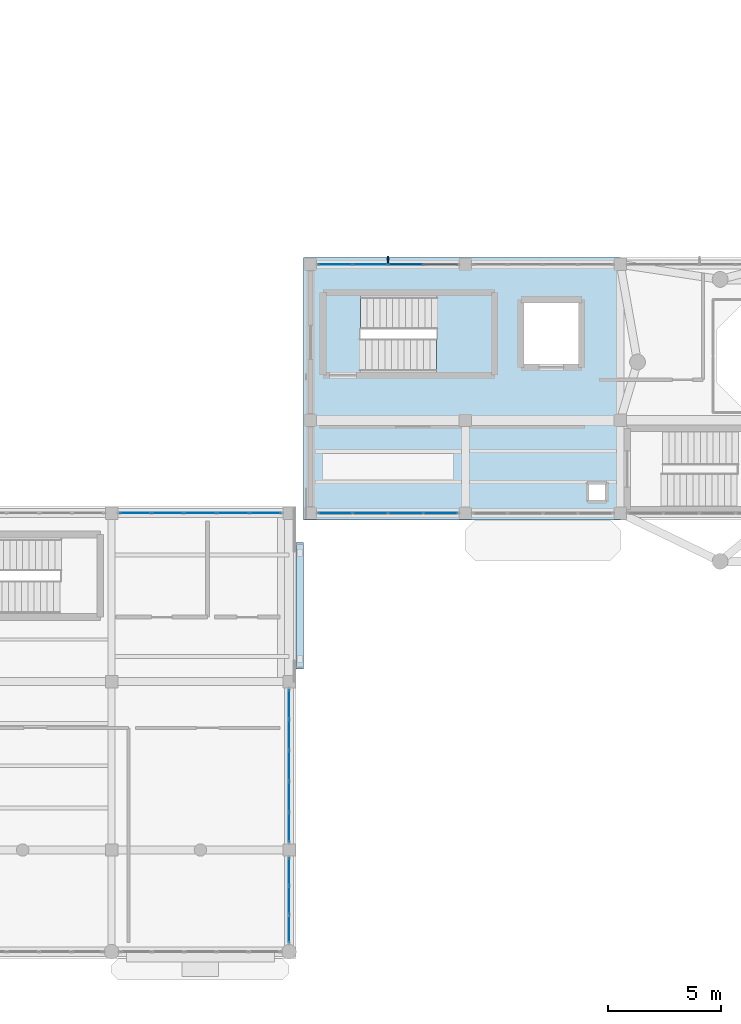
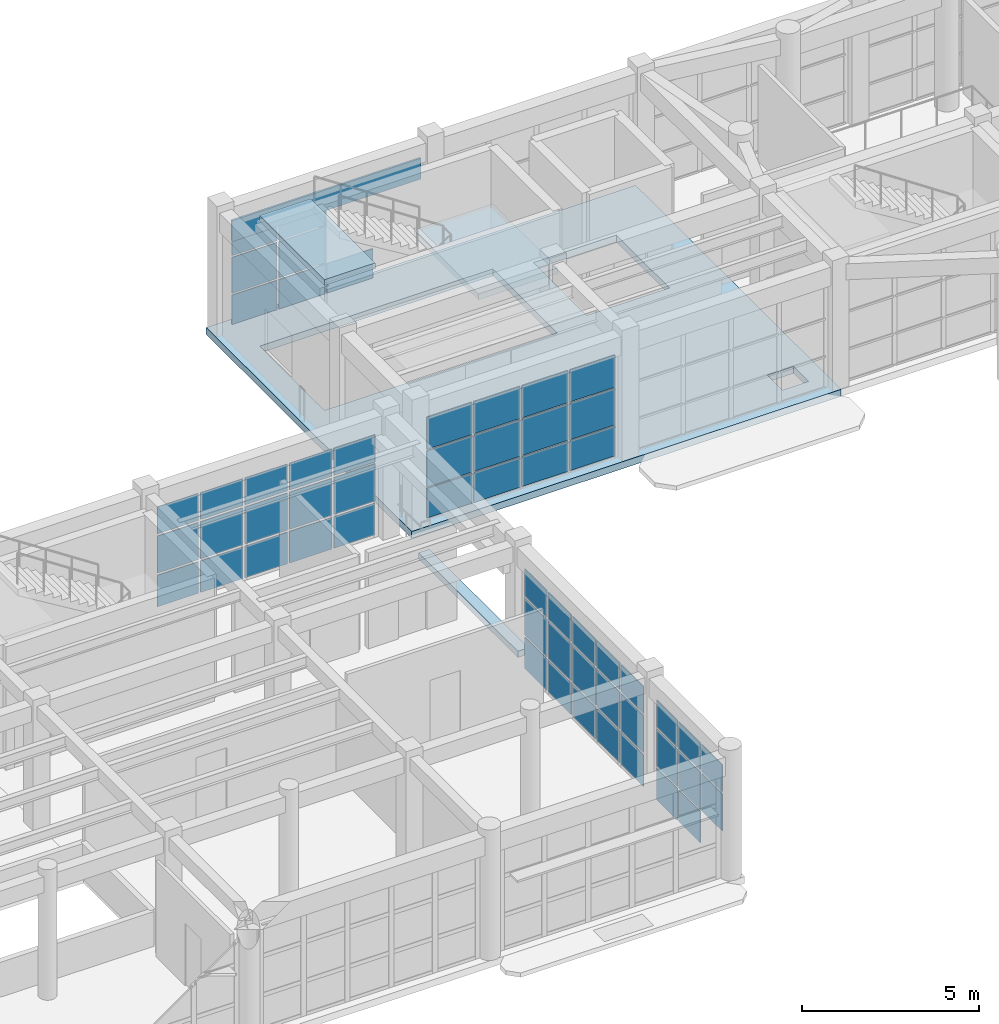
# One storey, part 52 of 85: 59 plates, 4 slabs, 6 elements without a shape of their own.
"""IFC4 building model written with IfcOpenShell, lengths in metres."""

from ifc_helpers import new_model, si_unit, direction, frame, origin, origin_2d, place, context, subcontext, project, spatial, polyline, rectangle, outline, extrude, material, layer, layer_set, type_object, element, aggregate, save


model = new_model("IFC4")

# Units and contexts
model_context = context("Model", 3, precision=1e-05, world=origin(), true_north=direction((0.0, 1.0)))
body_context = subcontext(model_context, "Body", "Model", "MODEL_VIEW")
ifc_project = project(units=[si_unit("LENGTHUNIT", "METRE"), si_unit("AREAUNIT", "SQUARE_METRE"), si_unit("VOLUMEUNIT", "CUBIC_METRE"), si_unit("PLANEANGLEUNIT", "RADIAN"), si_unit("MASSUNIT", "GRAM", prefix="KILO")], contexts=[model_context])

# Site, building, storey
site_placement = place(None, origin())
site = spatial("IfcSite", under=ifc_project, at=site_placement, CompositionType="ELEMENT")
building_placement = place(site_placement, origin())
building = spatial("IfcBuilding", under=site, at=building_placement, Name="Candilejo Ridge Gondola Terminal", CompositionType="ELEMENT")
storey_placement = place(building_placement, frame((0.0, 0.0, 4.5)))
storey = spatial("IfcBuildingStorey", under=building, at=storey_placement, Name="L01", CompositionType="ELEMENT", Elevation=4.5)

# Curtain wall, plates
ifc_material_1 = material(Name="Anodised aluminium AA 6063-T6", Category="aluminium")
ifc_layer_1 = layer(ifc_material_1, 0.169921875)
ifc_layer_set_1 = layer_set([ifc_layer_1], Name="ARC-CW-CONCOURSE-3600-725X359")
curtain_wall_type_1 = type_object("IfcCurtainWallType", Name="ARC-CW-CONCOURSE-3600-725X359", PredefinedType="NOTDEFINED", material=ifc_layer_set_1)
curtain_wall_1_placement = place(storey_placement, origin())
curtain_wall_1 = element("IfcCurtainWall", 1, at=curtain_wall_1_placement, inside=storey, type_object=curtain_wall_type_1, Name="Curtain wall V1 L01-018", PredefinedType="NOTDEFINED")
ifc_material_2 = material(Name="Low-E laminated double glazing 6+12A+6+1.52PVB+6 mm", Category="glass")
ifc_layer_2 = layer(ifc_material_2, 0.028076171875)
ifc_layer_set_2 = layer_set([ifc_layer_2], Name="ARC-CW-GLAZ-PANEL")
plate_type_1 = type_object("IfcPlateType", Name="ARC-CW-GLAZ-PANEL", PredefinedType="CURTAIN_PANEL", material=ifc_layer_set_2)
plate_1_placement = place(storey_placement, frame((36.893798828125, 25.699951171875, 0.074951171875), z_axis=(0.0, 0.0, 1.0), x_axis=(1.0, 0.0, 0.0)))
plate_1 = element("IfcPlate", 2, at=plate_1_placement, type_object=plate_type_1, Name="CW-72X35 panel 1.1", PredefinedType="CURTAIN_PANEL", context=body_context, shape_type="SweptSolid", body=[
    extrude(rectangle(XDim=1.33740234375, YDim=0.028076171875, at=origin_2d()), origin(), (0.0, 0.0, 1.0), 1.08740234375),
])
plate_2_placement = place(storey_placement, frame((36.893798828125, 25.699951171875, 1.237548828125), z_axis=(0.0, 0.0, 1.0), x_axis=(1.0, 0.0, 0.0)))
plate_2 = element("IfcPlate", 3, at=plate_2_placement, type_object=plate_type_1, Name="CW-72X35 panel 1.2", PredefinedType="CURTAIN_PANEL", context=body_context, shape_type="SweptSolid", body=[
    extrude(rectangle(XDim=1.33740234375, YDim=0.028076171875, at=origin_2d()), origin(), (0.0, 0.0, 1.0), 1.27490234375),
])
plate_3_placement = place(storey_placement, frame((36.893798828125, 25.699951171875, 2.58740234375), z_axis=(0.0, 0.0, 1.0), x_axis=(1.0, 0.0, 0.0)))
plate_3 = element("IfcPlate", 4, at=plate_3_placement, type_object=plate_type_1, Name="CW-72X35 panel 1.3", PredefinedType="CURTAIN_PANEL", context=body_context, shape_type="SweptSolid", body=[
    extrude(rectangle(XDim=1.33740234375, YDim=0.028076171875, at=origin_2d()), origin(), (0.0, 0.0, 1.0), 0.927490234375),
])
plate_4_placement = place(storey_placement, frame((38.324951171875, 25.699951171875, 0.074951171875), z_axis=(0.0, 0.0, 1.0), x_axis=(1.0, 0.0, 0.0)))
plate_4 = element("IfcPlate", 5, at=plate_4_placement, type_object=plate_type_1, Name="CW-72X35 panel 2.1", PredefinedType="CURTAIN_PANEL", context=body_context, shape_type="SweptSolid", body=[
    extrude(rectangle(XDim=1.375, YDim=0.028076171875, at=origin_2d()), origin(), (0.0, 0.0, 1.0), 1.08740234375),
])
plate_5_placement = place(storey_placement, frame((38.324951171875, 25.699951171875, 1.237548828125), z_axis=(0.0, 0.0, 1.0), x_axis=(1.0, 0.0, 0.0)))
plate_5 = element("IfcPlate", 6, at=plate_5_placement, type_object=plate_type_1, Name="CW-72X35 panel 2.2", PredefinedType="CURTAIN_PANEL", context=body_context, shape_type="SweptSolid", body=[
    extrude(rectangle(XDim=1.375, YDim=0.028076171875, at=origin_2d()), origin(), (0.0, 0.0, 1.0), 1.27490234375),
])
plate_6_placement = place(storey_placement, frame((38.324951171875, 25.699951171875, 2.58740234375), z_axis=(0.0, 0.0, 1.0), x_axis=(1.0, 0.0, 0.0)))
plate_6 = element("IfcPlate", 7, at=plate_6_placement, type_object=plate_type_1, Name="CW-72X35 panel 2.3", PredefinedType="CURTAIN_PANEL", context=body_context, shape_type="SweptSolid", body=[
    extrude(rectangle(XDim=1.375, YDim=0.028076171875, at=origin_2d()), origin(), (0.0, 0.0, 1.0), 0.927490234375),
])
plate_7_placement = place(storey_placement, frame((39.77490234375, 25.699951171875, 0.074951171875), z_axis=(0.0, 0.0, 1.0), x_axis=(1.0, 0.0, 0.0)))
plate_7 = element("IfcPlate", 8, at=plate_7_placement, type_object=plate_type_1, Name="CW-72X35 panel 3.1", PredefinedType="CURTAIN_PANEL", context=body_context, shape_type="SweptSolid", body=[
    extrude(rectangle(XDim=1.375, YDim=0.028076171875, at=origin_2d()), origin(), (0.0, 0.0, 1.0), 1.08740234375),
])
plate_8_placement = place(storey_placement, frame((39.77490234375, 25.699951171875, 1.237548828125), z_axis=(0.0, 0.0, 1.0), x_axis=(1.0, 0.0, 0.0)))
plate_8 = element("IfcPlate", 9, at=plate_8_placement, type_object=plate_type_1, Name="CW-72X35 panel 3.2", PredefinedType="CURTAIN_PANEL", context=body_context, shape_type="SweptSolid", body=[
    extrude(rectangle(XDim=1.375, YDim=0.028076171875, at=origin_2d()), origin(), (0.0, 0.0, 1.0), 1.27490234375),
])
plate_9_placement = place(storey_placement, frame((39.77490234375, 25.699951171875, 2.58740234375), z_axis=(0.0, 0.0, 1.0), x_axis=(1.0, 0.0, 0.0)))
plate_9 = element("IfcPlate", 10, at=plate_9_placement, type_object=plate_type_1, Name="CW-72X35 panel 3.3", PredefinedType="CURTAIN_PANEL", context=body_context, shape_type="SweptSolid", body=[
    extrude(rectangle(XDim=1.375, YDim=0.028076171875, at=origin_2d()), origin(), (0.0, 0.0, 1.0), 0.927490234375),
])
plate_10_placement = place(storey_placement, frame((41.22509765625, 25.699951171875, 0.074951171875), z_axis=(0.0, 0.0, 1.0), x_axis=(1.0, 0.0, 0.0)))
plate_10 = element("IfcPlate", 11, at=plate_10_placement, type_object=plate_type_1, Name="CW-72X35 panel 4.1", PredefinedType="CURTAIN_PANEL", context=body_context, shape_type="SweptSolid", body=[
    extrude(rectangle(XDim=1.375, YDim=0.028076171875, at=origin_2d()), origin(), (0.0, 0.0, 1.0), 1.08740234375),
])
plate_11_placement = place(storey_placement, frame((41.22509765625, 25.699951171875, 1.237548828125), z_axis=(0.0, 0.0, 1.0), x_axis=(1.0, 0.0, 0.0)))
plate_11 = element("IfcPlate", 12, at=plate_11_placement, type_object=plate_type_1, Name="CW-72X35 panel 4.2", PredefinedType="CURTAIN_PANEL", context=body_context, shape_type="SweptSolid", body=[
    extrude(rectangle(XDim=1.375, YDim=0.028076171875, at=origin_2d()), origin(), (0.0, 0.0, 1.0), 1.27490234375),
])
plate_12_placement = place(storey_placement, frame((41.22509765625, 25.699951171875, 2.58740234375), z_axis=(0.0, 0.0, 1.0), x_axis=(1.0, 0.0, 0.0)))
plate_12 = element("IfcPlate", 13, at=plate_12_placement, type_object=plate_type_1, Name="CW-72X35 panel 4.3", PredefinedType="CURTAIN_PANEL", context=body_context, shape_type="SweptSolid", body=[
    extrude(rectangle(XDim=1.375, YDim=0.028076171875, at=origin_2d()), origin(), (0.0, 0.0, 1.0), 0.927490234375),
])
plate_13_placement = place(storey_placement, frame((42.65625, 25.699951171875, 0.074951171875), z_axis=(0.0, 0.0, 1.0), x_axis=(1.0, 0.0, 0.0)))
plate_13 = element("IfcPlate", 14, at=plate_13_placement, type_object=plate_type_1, Name="CW-72X35 panel 5.1", PredefinedType="CURTAIN_PANEL", context=body_context, shape_type="SweptSolid", body=[
    extrude(rectangle(XDim=1.33740234375, YDim=0.028076171875, at=origin_2d()), origin(), (0.0, 0.0, 1.0), 1.08740234375),
])
plate_14_placement = place(storey_placement, frame((42.65625, 25.699951171875, 1.237548828125), z_axis=(0.0, 0.0, 1.0), x_axis=(1.0, 0.0, 0.0)))
plate_14 = element("IfcPlate", 15, at=plate_14_placement, type_object=plate_type_1, Name="CW-72X35 panel 5.2", PredefinedType="CURTAIN_PANEL", context=body_context, shape_type="SweptSolid", body=[
    extrude(rectangle(XDim=1.33740234375, YDim=0.028076171875, at=origin_2d()), origin(), (0.0, 0.0, 1.0), 1.27490234375),
])
plate_15_placement = place(storey_placement, frame((42.65625, 25.699951171875, 2.58740234375), z_axis=(0.0, 0.0, 1.0), x_axis=(1.0, 0.0, 0.0)))
plate_15 = element("IfcPlate", 16, at=plate_15_placement, type_object=plate_type_1, Name="CW-72X35 panel 5.3", PredefinedType="CURTAIN_PANEL", context=body_context, shape_type="SweptSolid", body=[
    extrude(rectangle(XDim=1.33740234375, YDim=0.028076171875, at=origin_2d()), origin(), (0.0, 0.0, 1.0), 0.927490234375),
])
aggregate(curtain_wall_1, [plate_1, plate_2, plate_3, plate_4, plate_5, plate_6, plate_7, plate_8, plate_9, plate_10, plate_11, plate_12, plate_13, plate_14, plate_15])

ifc_material_3 = material(Name="Anodised aluminium AA 6063-T6", Category="aluminium")
ifc_layer_3 = layer(ifc_material_3, 0.169921875)
ifc_layer_set_3 = layer_set([ifc_layer_3], Name="ARC-CW-CONCOURSE-3600-385X359")
curtain_wall_type_2 = type_object("IfcCurtainWallType", Name="ARC-CW-CONCOURSE-3600-385X359", PredefinedType="NOTDEFINED", material=ifc_layer_set_3)
curtain_wall_2_placement = place(storey_placement, origin())
curtain_wall_2 = element("IfcCurtainWall", 17, at=curtain_wall_2_placement, inside=storey, type_object=curtain_wall_type_2, Name="Curtain wall V1 L01-024", PredefinedType="NOTDEFINED")
plate_16_placement = place(storey_placement, frame((43.699951171875, 7.310302734375, 1.237548828125), z_axis=(0.0, 0.0, 1.0), x_axis=(0.0, 1.0, 0.0)))
plate_16 = element("IfcPlate", 18, at=plate_16_placement, type_object=plate_type_1, Name="CW-38X35 panel 1.2", PredefinedType="CURTAIN_PANEL", context=body_context, shape_type="SweptSolid", body=[
    extrude(rectangle(XDim=1.1708984375, YDim=0.028076171875, at=origin_2d()), origin(), (0.0, 0.0, 1.0), 1.27490234375),
])
plate_17_placement = place(storey_placement, frame((43.699951171875, 7.310302734375, 2.58740234375), z_axis=(0.0, 0.0, 1.0), x_axis=(0.0, 1.0, 0.0)))
plate_17 = element("IfcPlate", 19, at=plate_17_placement, type_object=plate_type_1, Name="CW-38X35 panel 1.3", PredefinedType="CURTAIN_PANEL", context=body_context, shape_type="SweptSolid", body=[
    extrude(rectangle(XDim=1.1708984375, YDim=0.028076171875, at=origin_2d()), origin(), (0.0, 0.0, 1.0), 0.927490234375),
])
plate_18_placement = place(storey_placement, frame((43.699951171875, 8.574951171875, 0.074951171875), z_axis=(0.0, 0.0, 1.0), x_axis=(0.0, 1.0, 0.0)))
plate_18 = element("IfcPlate", 20, at=plate_18_placement, type_object=plate_type_1, Name="CW-38X35 panel 2.1", PredefinedType="CURTAIN_PANEL", context=body_context, shape_type="SweptSolid", body=[
    extrude(rectangle(XDim=1.208251953125, YDim=0.028076171875, at=origin_2d()), origin(), (0.0, 0.0, 1.0), 1.08740234375),
])
plate_19_placement = place(storey_placement, frame((43.699951171875, 8.574951171875, 1.237548828125), z_axis=(0.0, 0.0, 1.0), x_axis=(0.0, 1.0, 0.0)))
plate_19 = element("IfcPlate", 21, at=plate_19_placement, type_object=plate_type_1, Name="CW-38X35 panel 2.2", PredefinedType="CURTAIN_PANEL", context=body_context, shape_type="SweptSolid", body=[
    extrude(rectangle(XDim=1.208251953125, YDim=0.028076171875, at=origin_2d()), origin(), (0.0, 0.0, 1.0), 1.27490234375),
])
plate_20_placement = place(storey_placement, frame((43.699951171875, 8.574951171875, 2.58740234375), z_axis=(0.0, 0.0, 1.0), x_axis=(0.0, 1.0, 0.0)))
plate_20 = element("IfcPlate", 22, at=plate_20_placement, type_object=plate_type_1, Name="CW-38X35 panel 2.3", PredefinedType="CURTAIN_PANEL", context=body_context, shape_type="SweptSolid", body=[
    extrude(rectangle(XDim=1.208251953125, YDim=0.028076171875, at=origin_2d()), origin(), (0.0, 0.0, 1.0), 0.927490234375),
])
plate_21_placement = place(storey_placement, frame((43.699951171875, 9.839599609375, 0.074951171875), z_axis=(0.0, 0.0, 1.0), x_axis=(0.0, 1.0, 0.0)))
plate_21 = element("IfcPlate", 23, at=plate_21_placement, type_object=plate_type_1, Name="CW-38X35 panel 3.1", PredefinedType="CURTAIN_PANEL", context=body_context, shape_type="SweptSolid", body=[
    extrude(rectangle(XDim=1.1708984375, YDim=0.028076171875, at=origin_2d()), origin(), (0.0, 0.0, 1.0), 1.08740234375),
])
plate_22_placement = place(storey_placement, frame((43.699951171875, 9.839599609375, 1.237548828125), z_axis=(0.0, 0.0, 1.0), x_axis=(0.0, 1.0, 0.0)))
plate_22 = element("IfcPlate", 24, at=plate_22_placement, type_object=plate_type_1, Name="CW-38X35 panel 3.2", PredefinedType="CURTAIN_PANEL", context=body_context, shape_type="SweptSolid", body=[
    extrude(rectangle(XDim=1.1708984375, YDim=0.028076171875, at=origin_2d()), origin(), (0.0, 0.0, 1.0), 1.27490234375),
])
plate_23_placement = place(storey_placement, frame((43.699951171875, 9.839599609375, 2.58740234375), z_axis=(0.0, 0.0, 1.0), x_axis=(0.0, 1.0, 0.0)))
plate_23 = element("IfcPlate", 25, at=plate_23_placement, type_object=plate_type_1, Name="CW-38X35 panel 3.3", PredefinedType="CURTAIN_PANEL", context=body_context, shape_type="SweptSolid", body=[
    extrude(rectangle(XDim=1.1708984375, YDim=0.028076171875, at=origin_2d()), origin(), (0.0, 0.0, 1.0), 0.927490234375),
])
aggregate(curtain_wall_2, [plate_16, plate_17, plate_18, plate_19, plate_20, plate_21, plate_22, plate_23])

ifc_material_4 = material(Name="Anodised aluminium AA 6063-T6", Category="aluminium")
ifc_layer_4 = layer(ifc_material_4, 0.169921875)
ifc_layer_set_4 = layer_set([ifc_layer_4], Name="ARC-CW-CONCOURSE-3600-685X359")
curtain_wall_type_3 = type_object("IfcCurtainWallType", Name="ARC-CW-CONCOURSE-3600-685X359", PredefinedType="NOTDEFINED", material=ifc_layer_set_4)
curtain_wall_3_placement = place(storey_placement, origin())
curtain_wall_3 = element("IfcCurtainWall", 26, at=curtain_wall_3_placement, inside=storey, type_object=curtain_wall_type_3, Name="Curtain wall V1 L01-025", PredefinedType="NOTDEFINED")
plate_24_placement = place(storey_placement, frame((43.699951171875, 11.8037109375, 0.074951171875), z_axis=(0.0, 0.0, 1.0), x_axis=(0.0, 1.0, 0.0)))
plate_24 = element("IfcPlate", 27, at=plate_24_placement, type_object=plate_type_1, Name="CW-68X35 panel 1.1", PredefinedType="CURTAIN_PANEL", context=body_context, shape_type="SweptSolid", body=[
    extrude(rectangle(XDim=1.257568359375, YDim=0.028076171875, at=origin_2d()), origin(), (0.0, 0.0, 1.0), 1.08740234375),
])
plate_25_placement = place(storey_placement, frame((43.699951171875, 11.8037109375, 1.237548828125), z_axis=(0.0, 0.0, 1.0), x_axis=(0.0, 1.0, 0.0)))
plate_25 = element("IfcPlate", 28, at=plate_25_placement, type_object=plate_type_1, Name="CW-68X35 panel 1.2", PredefinedType="CURTAIN_PANEL", context=body_context, shape_type="SweptSolid", body=[
    extrude(rectangle(XDim=1.257568359375, YDim=0.028076171875, at=origin_2d()), origin(), (0.0, 0.0, 1.0), 1.27490234375),
])
plate_26_placement = place(storey_placement, frame((43.699951171875, 11.8037109375, 2.58740234375), z_axis=(0.0, 0.0, 1.0), x_axis=(0.0, 1.0, 0.0)))
plate_26 = element("IfcPlate", 29, at=plate_26_placement, type_object=plate_type_1, Name="CW-68X35 panel 1.3", PredefinedType="CURTAIN_PANEL", context=body_context, shape_type="SweptSolid", body=[
    extrude(rectangle(XDim=1.257568359375, YDim=0.028076171875, at=origin_2d()), origin(), (0.0, 0.0, 1.0), 0.927490234375),
])
plate_27_placement = place(storey_placement, frame((43.699951171875, 13.155029296875, 0.074951171875), z_axis=(0.0, 0.0, 1.0), x_axis=(0.0, 1.0, 0.0)))
plate_27 = element("IfcPlate", 30, at=plate_27_placement, type_object=plate_type_1, Name="CW-68X35 panel 2.1", PredefinedType="CURTAIN_PANEL", context=body_context, shape_type="SweptSolid", body=[
    extrude(rectangle(XDim=1.294921875, YDim=0.028076171875, at=origin_2d()), origin(), (0.0, 0.0, 1.0), 1.08740234375),
])
plate_28_placement = place(storey_placement, frame((43.699951171875, 13.155029296875, 1.237548828125), z_axis=(0.0, 0.0, 1.0), x_axis=(0.0, 1.0, 0.0)))
plate_28 = element("IfcPlate", 31, at=plate_28_placement, type_object=plate_type_1, Name="CW-68X35 panel 2.2", PredefinedType="CURTAIN_PANEL", context=body_context, shape_type="SweptSolid", body=[
    extrude(rectangle(XDim=1.294921875, YDim=0.028076171875, at=origin_2d()), origin(), (0.0, 0.0, 1.0), 1.27490234375),
])
plate_29_placement = place(storey_placement, frame((43.699951171875, 13.155029296875, 2.58740234375), z_axis=(0.0, 0.0, 1.0), x_axis=(0.0, 1.0, 0.0)))
plate_29 = element("IfcPlate", 32, at=plate_29_placement, type_object=plate_type_1, Name="CW-68X35 panel 2.3", PredefinedType="CURTAIN_PANEL", context=body_context, shape_type="SweptSolid", body=[
    extrude(rectangle(XDim=1.294921875, YDim=0.028076171875, at=origin_2d()), origin(), (0.0, 0.0, 1.0), 0.927490234375),
])
plate_30_placement = place(storey_placement, frame((43.699951171875, 14.52490234375, 0.074951171875), z_axis=(0.0, 0.0, 1.0), x_axis=(0.0, 1.0, 0.0)))
plate_30 = element("IfcPlate", 33, at=plate_30_placement, type_object=plate_type_1, Name="CW-68X35 panel 3.1", PredefinedType="CURTAIN_PANEL", context=body_context, shape_type="SweptSolid", body=[
    extrude(rectangle(XDim=1.294921875, YDim=0.028076171875, at=origin_2d()), origin(), (0.0, 0.0, 1.0), 1.08740234375),
])
plate_31_placement = place(storey_placement, frame((43.699951171875, 14.52490234375, 1.237548828125), z_axis=(0.0, 0.0, 1.0), x_axis=(0.0, 1.0, 0.0)))
plate_31 = element("IfcPlate", 34, at=plate_31_placement, type_object=plate_type_1, Name="CW-68X35 panel 3.2", PredefinedType="CURTAIN_PANEL", context=body_context, shape_type="SweptSolid", body=[
    extrude(rectangle(XDim=1.294921875, YDim=0.028076171875, at=origin_2d()), origin(), (0.0, 0.0, 1.0), 1.27490234375),
])
plate_32_placement = place(storey_placement, frame((43.699951171875, 14.52490234375, 2.58740234375), z_axis=(0.0, 0.0, 1.0), x_axis=(0.0, 1.0, 0.0)))
plate_32 = element("IfcPlate", 35, at=plate_32_placement, type_object=plate_type_1, Name="CW-68X35 panel 3.3", PredefinedType="CURTAIN_PANEL", context=body_context, shape_type="SweptSolid", body=[
    extrude(rectangle(XDim=1.294921875, YDim=0.028076171875, at=origin_2d()), origin(), (0.0, 0.0, 1.0), 0.927490234375),
])
plate_33_placement = place(storey_placement, frame((43.699951171875, 15.89501953125, 0.074951171875), z_axis=(0.0, 0.0, 1.0), x_axis=(0.0, 1.0, 0.0)))
plate_33 = element("IfcPlate", 36, at=plate_33_placement, type_object=plate_type_1, Name="CW-68X35 panel 4.1", PredefinedType="CURTAIN_PANEL", context=body_context, shape_type="SweptSolid", body=[
    extrude(rectangle(XDim=1.294921875, YDim=0.028076171875, at=origin_2d()), origin(), (0.0, 0.0, 1.0), 1.08740234375),
])
plate_34_placement = place(storey_placement, frame((43.699951171875, 15.89501953125, 1.237548828125), z_axis=(0.0, 0.0, 1.0), x_axis=(0.0, 1.0, 0.0)))
plate_34 = element("IfcPlate", 37, at=plate_34_placement, type_object=plate_type_1, Name="CW-68X35 panel 4.2", PredefinedType="CURTAIN_PANEL", context=body_context, shape_type="SweptSolid", body=[
    extrude(rectangle(XDim=1.294921875, YDim=0.028076171875, at=origin_2d()), origin(), (0.0, 0.0, 1.0), 1.27490234375),
])
plate_35_placement = place(storey_placement, frame((43.699951171875, 15.89501953125, 2.58740234375), z_axis=(0.0, 0.0, 1.0), x_axis=(0.0, 1.0, 0.0)))
plate_35 = element("IfcPlate", 38, at=plate_35_placement, type_object=plate_type_1, Name="CW-68X35 panel 4.3", PredefinedType="CURTAIN_PANEL", context=body_context, shape_type="SweptSolid", body=[
    extrude(rectangle(XDim=1.294921875, YDim=0.028076171875, at=origin_2d()), origin(), (0.0, 0.0, 1.0), 0.927490234375),
])
plate_36_placement = place(storey_placement, frame((43.699951171875, 17.246337890625, 0.074951171875), z_axis=(0.0, 0.0, 1.0), x_axis=(0.0, 1.0, 0.0)))
plate_36 = element("IfcPlate", 39, at=plate_36_placement, type_object=plate_type_1, Name="CW-68X35 panel 5.1", PredefinedType="CURTAIN_PANEL", context=body_context, shape_type="SweptSolid", body=[
    extrude(rectangle(XDim=1.257568359375, YDim=0.028076171875, at=origin_2d()), origin(), (0.0, 0.0, 1.0), 1.08740234375),
])
plate_37_placement = place(storey_placement, frame((43.699951171875, 17.246337890625, 1.237548828125), z_axis=(0.0, 0.0, 1.0), x_axis=(0.0, 1.0, 0.0)))
plate_37 = element("IfcPlate", 40, at=plate_37_placement, type_object=plate_type_1, Name="CW-68X35 panel 5.2", PredefinedType="CURTAIN_PANEL", context=body_context, shape_type="SweptSolid", body=[
    extrude(rectangle(XDim=1.257568359375, YDim=0.028076171875, at=origin_2d()), origin(), (0.0, 0.0, 1.0), 1.27490234375),
])
plate_38_placement = place(storey_placement, frame((43.699951171875, 17.246337890625, 2.58740234375), z_axis=(0.0, 0.0, 1.0), x_axis=(0.0, 1.0, 0.0)))
plate_38 = element("IfcPlate", 41, at=plate_38_placement, type_object=plate_type_1, Name="CW-68X35 panel 5.3", PredefinedType="CURTAIN_PANEL", context=body_context, shape_type="SweptSolid", body=[
    extrude(rectangle(XDim=1.257568359375, YDim=0.028076171875, at=origin_2d()), origin(), (0.0, 0.0, 1.0), 0.927490234375),
])
aggregate(curtain_wall_3, [plate_24, plate_25, plate_26, plate_27, plate_28, plate_29, plate_30, plate_31, plate_32, plate_33, plate_34, plate_35, plate_36, plate_37, plate_38])

ifc_material_5 = material(Name="Anodised aluminium AA 6063-T6", Category="aluminium")
ifc_layer_5 = layer(ifc_material_5, 0.169921875)
ifc_layer_set_5 = layer_set([ifc_layer_5], Name="ARC-CW-DRUM-3400-625X359")
curtain_wall_type_4 = type_object("IfcCurtainWallType", Name="ARC-CW-DRUM-3400-625X359", PredefinedType="NOTDEFINED", material=ifc_layer_set_5)
curtain_wall_4_placement = place(storey_placement, origin())
curtain_wall_4 = element("IfcCurtainWall", 42, at=curtain_wall_4_placement, inside=storey, type_object=curtain_wall_type_4, Name="Curtain wall V2 L01-034", PredefinedType="NOTDEFINED")
plate_39_placement = place(storey_placement, frame((45.74755859375, 36.699951171875, 0.06005859375), z_axis=(0.0, 0.0, 1.0), x_axis=(1.0, 0.0, 0.0)))
plate_39 = element("IfcPlate", 43, at=plate_39_placement, type_object=plate_type_1, Name="CW-62X35 panel 1.1", PredefinedType="CURTAIN_PANEL", context=body_context, shape_type="SweptSolid", body=[
    extrude(rectangle(XDim=1.465087890625, YDim=0.028076171875, at=origin_2d()), origin(), (0.0, 0.0, 1.0), 1.010009765625),
])
plate_40_placement = place(storey_placement, frame((45.74755859375, 36.699951171875, 1.1298828125), z_axis=(0.0, 0.0, 1.0), x_axis=(1.0, 0.0, 0.0)))
plate_40 = element("IfcPlate", 44, at=plate_40_placement, type_object=plate_type_1, Name="CW-62X35 panel 1.2", PredefinedType="CURTAIN_PANEL", context=body_context, shape_type="SweptSolid", body=[
    extrude(rectangle(XDim=1.465087890625, YDim=0.028076171875, at=origin_2d()), origin(), (0.0, 0.0, 1.0), 1.239990234375),
])
plate_41_placement = place(storey_placement, frame((45.74755859375, 36.699951171875, 2.429931640625), z_axis=(0.0, 0.0, 1.0), x_axis=(1.0, 0.0, 0.0)))
plate_41 = element("IfcPlate", 45, at=plate_41_placement, type_object=plate_type_1, Name="CW-62X35 panel 1.3", PredefinedType="CURTAIN_PANEL", context=body_context, shape_type="SweptSolid", body=[
    extrude(rectangle(XDim=1.465087890625, YDim=0.028076171875, at=origin_2d()), origin(), (0.0, 0.0, 1.0), 1.10009765625),
])
plate_42_placement = place(storey_placement, frame((47.293701171875, 36.699951171875, 0.06005859375), z_axis=(0.0, 0.0, 1.0), x_axis=(1.0, 0.0, 0.0)))
plate_42 = element("IfcPlate", 46, at=plate_42_placement, type_object=plate_type_1, Name="CW-62X35 panel 2.1", PredefinedType="CURTAIN_PANEL", context=body_context, shape_type="SweptSolid", body=[
    extrude(rectangle(XDim=1.49755859375, YDim=0.028076171875, at=origin_2d()), origin(), (0.0, 0.0, 1.0), 1.010009765625),
])
plate_43_placement = place(storey_placement, frame((47.293701171875, 36.699951171875, 1.1298828125), z_axis=(0.0, 0.0, 1.0), x_axis=(1.0, 0.0, 0.0)))
plate_43 = element("IfcPlate", 47, at=plate_43_placement, type_object=plate_type_1, Name="CW-62X35 panel 2.2", PredefinedType="CURTAIN_PANEL", context=body_context, shape_type="SweptSolid", body=[
    extrude(rectangle(XDim=1.49755859375, YDim=0.028076171875, at=origin_2d()), origin(), (0.0, 0.0, 1.0), 1.239990234375),
])
plate_44_placement = place(storey_placement, frame((47.293701171875, 36.699951171875, 2.429931640625), z_axis=(0.0, 0.0, 1.0), x_axis=(1.0, 0.0, 0.0)))
plate_44 = element("IfcPlate", 48, at=plate_44_placement, type_object=plate_type_1, Name="CW-62X35 panel 2.3", PredefinedType="CURTAIN_PANEL", context=body_context, shape_type="SweptSolid", body=[
    extrude(rectangle(XDim=1.49755859375, YDim=0.028076171875, at=origin_2d()), origin(), (0.0, 0.0, 1.0), 1.10009765625),
])
plate_45_placement = place(storey_placement, frame((48.856201171875, 36.699951171875, 0.06005859375), z_axis=(0.0, 0.0, 1.0), x_axis=(1.0, 0.0, 0.0)))
plate_45 = element("IfcPlate", 49, at=plate_45_placement, type_object=plate_type_1, Name="CW-62X35 panel 3.1", PredefinedType="CURTAIN_PANEL", context=body_context, shape_type="SweptSolid", body=[
    extrude(rectangle(XDim=1.49755859375, YDim=0.028076171875, at=origin_2d()), origin(), (0.0, 0.0, 1.0), 1.010009765625),
])
aggregate(curtain_wall_4, [plate_39, plate_40, plate_41, plate_42, plate_43, plate_44, plate_45])

curtain_wall_5_placement = place(storey_placement, origin())
curtain_wall_5 = element("IfcCurtainWall", 50, at=curtain_wall_5_placement, inside=storey, type_object=curtain_wall_type_4, Name="Curtain wall V2 L01-035", PredefinedType="NOTDEFINED")
plate_46_placement = place(storey_placement, frame((45.74755859375, 25.699951171875, 0.06005859375), z_axis=(0.0, 0.0, 1.0), x_axis=(1.0, 0.0, 0.0)))
plate_46 = element("IfcPlate", 51, at=plate_46_placement, type_object=plate_type_1, Name="CW-62X35 panel 1.1", PredefinedType="CURTAIN_PANEL", context=body_context, shape_type="SweptSolid", body=[
    extrude(rectangle(XDim=1.465087890625, YDim=0.028076171875, at=origin_2d()), origin(), (0.0, 0.0, 1.0), 1.010009765625),
])
plate_47_placement = place(storey_placement, frame((45.74755859375, 25.699951171875, 1.1298828125), z_axis=(0.0, 0.0, 1.0), x_axis=(1.0, 0.0, 0.0)))
plate_47 = element("IfcPlate", 52, at=plate_47_placement, type_object=plate_type_1, Name="CW-62X35 panel 1.2", PredefinedType="CURTAIN_PANEL", context=body_context, shape_type="SweptSolid", body=[
    extrude(rectangle(XDim=1.465087890625, YDim=0.028076171875, at=origin_2d()), origin(), (0.0, 0.0, 1.0), 1.239990234375),
])
plate_48_placement = place(storey_placement, frame((45.74755859375, 25.699951171875, 2.429931640625), z_axis=(0.0, 0.0, 1.0), x_axis=(1.0, 0.0, 0.0)))
plate_48 = element("IfcPlate", 53, at=plate_48_placement, type_object=plate_type_1, Name="CW-62X35 panel 1.3", PredefinedType="CURTAIN_PANEL", context=body_context, shape_type="SweptSolid", body=[
    extrude(rectangle(XDim=1.465087890625, YDim=0.028076171875, at=origin_2d()), origin(), (0.0, 0.0, 1.0), 1.10009765625),
])
plate_49_placement = place(storey_placement, frame((47.293701171875, 25.699951171875, 0.06005859375), z_axis=(0.0, 0.0, 1.0), x_axis=(1.0, 0.0, 0.0)))
plate_49 = element("IfcPlate", 54, at=plate_49_placement, type_object=plate_type_1, Name="CW-62X35 panel 2.1", PredefinedType="CURTAIN_PANEL", context=body_context, shape_type="SweptSolid", body=[
    extrude(rectangle(XDim=1.49755859375, YDim=0.028076171875, at=origin_2d()), origin(), (0.0, 0.0, 1.0), 1.010009765625),
])
plate_50_placement = place(storey_placement, frame((47.293701171875, 25.699951171875, 1.1298828125), z_axis=(0.0, 0.0, 1.0), x_axis=(1.0, 0.0, 0.0)))
plate_50 = element("IfcPlate", 55, at=plate_50_placement, type_object=plate_type_1, Name="CW-62X35 panel 2.2", PredefinedType="CURTAIN_PANEL", context=body_context, shape_type="SweptSolid", body=[
    extrude(rectangle(XDim=1.49755859375, YDim=0.028076171875, at=origin_2d()), origin(), (0.0, 0.0, 1.0), 1.239990234375),
])
plate_51_placement = place(storey_placement, frame((47.293701171875, 25.699951171875, 2.429931640625), z_axis=(0.0, 0.0, 1.0), x_axis=(1.0, 0.0, 0.0)))
plate_51 = element("IfcPlate", 56, at=plate_51_placement, type_object=plate_type_1, Name="CW-62X35 panel 2.3", PredefinedType="CURTAIN_PANEL", context=body_context, shape_type="SweptSolid", body=[
    extrude(rectangle(XDim=1.49755859375, YDim=0.028076171875, at=origin_2d()), origin(), (0.0, 0.0, 1.0), 1.10009765625),
])
plate_52_placement = place(storey_placement, frame((48.856201171875, 25.699951171875, 0.06005859375), z_axis=(0.0, 0.0, 1.0), x_axis=(1.0, 0.0, 0.0)))
plate_52 = element("IfcPlate", 57, at=plate_52_placement, type_object=plate_type_1, Name="CW-62X35 panel 3.1", PredefinedType="CURTAIN_PANEL", context=body_context, shape_type="SweptSolid", body=[
    extrude(rectangle(XDim=1.49755859375, YDim=0.028076171875, at=origin_2d()), origin(), (0.0, 0.0, 1.0), 1.010009765625),
])
plate_53_placement = place(storey_placement, frame((48.856201171875, 25.699951171875, 1.1298828125), z_axis=(0.0, 0.0, 1.0), x_axis=(1.0, 0.0, 0.0)))
plate_53 = element("IfcPlate", 58, at=plate_53_placement, type_object=plate_type_1, Name="CW-62X35 panel 3.2", PredefinedType="CURTAIN_PANEL", context=body_context, shape_type="SweptSolid", body=[
    extrude(rectangle(XDim=1.49755859375, YDim=0.028076171875, at=origin_2d()), origin(), (0.0, 0.0, 1.0), 1.239990234375),
])
plate_54_placement = place(storey_placement, frame((48.856201171875, 25.699951171875, 2.429931640625), z_axis=(0.0, 0.0, 1.0), x_axis=(1.0, 0.0, 0.0)))
plate_54 = element("IfcPlate", 59, at=plate_54_placement, type_object=plate_type_1, Name="CW-62X35 panel 3.3", PredefinedType="CURTAIN_PANEL", context=body_context, shape_type="SweptSolid", body=[
    extrude(rectangle(XDim=1.49755859375, YDim=0.028076171875, at=origin_2d()), origin(), (0.0, 0.0, 1.0), 1.10009765625),
])
plate_55_placement = place(storey_placement, frame((50.402587890625, 25.699951171875, 0.06005859375), z_axis=(0.0, 0.0, 1.0), x_axis=(1.0, 0.0, 0.0)))
plate_55 = element("IfcPlate", 60, at=plate_55_placement, type_object=plate_type_1, Name="CW-62X35 panel 4.1", PredefinedType="CURTAIN_PANEL", context=body_context, shape_type="SweptSolid", body=[
    extrude(rectangle(XDim=1.465087890625, YDim=0.028076171875, at=origin_2d()), origin(), (0.0, 0.0, 1.0), 1.010009765625),
])
plate_56_placement = place(storey_placement, frame((50.402587890625, 25.699951171875, 1.1298828125), z_axis=(0.0, 0.0, 1.0), x_axis=(1.0, 0.0, 0.0)))
plate_56 = element("IfcPlate", 61, at=plate_56_placement, type_object=plate_type_1, Name="CW-62X35 panel 4.2", PredefinedType="CURTAIN_PANEL", context=body_context, shape_type="SweptSolid", body=[
    extrude(rectangle(XDim=1.465087890625, YDim=0.028076171875, at=origin_2d()), origin(), (0.0, 0.0, 1.0), 1.239990234375),
])
plate_57_placement = place(storey_placement, frame((50.402587890625, 25.699951171875, 2.429931640625), z_axis=(0.0, 0.0, 1.0), x_axis=(1.0, 0.0, 0.0)))
plate_57 = element("IfcPlate", 62, at=plate_57_placement, type_object=plate_type_1, Name="CW-62X35 panel 4.3", PredefinedType="CURTAIN_PANEL", context=body_context, shape_type="SweptSolid", body=[
    extrude(rectangle(XDim=1.465087890625, YDim=0.028076171875, at=origin_2d()), origin(), (0.0, 0.0, 1.0), 1.10009765625),
])
aggregate(curtain_wall_5, [plate_46, plate_47, plate_48, plate_49, plate_50, plate_51, plate_52, plate_53, plate_54, plate_55, plate_56, plate_57])

# Plates
ifc_material_6 = material(Name="Extruded architectural terracotta fin", Category="masonry")
plate_type_2 = type_object("IfcPlateType", Name="ARC-SOLAR-FIN-340", PredefinedType="USERDEFINED", material=ifc_material_6)
plate_58_placement = place(storey_placement, frame((48.074951171875, 36.884033203125, 0.099853515625), z_axis=(0.0, 0.0, 1.0), x_axis=(1.0, 0.0, 0.0)))
element("IfcPlate", 63, at=plate_58_placement, inside=storey, type_object=plate_type_2, Name="Terracotta solar fin V2-09", ObjectType="SOLAR FIN", PredefinedType="USERDEFINED", context=body_context, shape_type="SweptSolid", body=[
    extrude(rectangle(XDim=0.06494140625, YDim=0.340087890625, at=origin_2d()), origin(), (0.0, 0.0, 1.0), 3.10009765625),
])
ifc_material_7 = material(Name="Insulated aluminium spandrel panel 60 mm", Category="aluminium")
ifc_layer_6 = layer(ifc_material_7, 0.06494140625)
ifc_layer_set_6 = layer_set([ifc_layer_6], Name="ARC-SPANDREL-V2-L01")
plate_type_3 = type_object("IfcPlateType", Name="ARC-SPANDREL-V2-L01", PredefinedType="SHEET", material=ifc_layer_set_6)
plate_59_placement = place(storey_placement, frame((48.080078125, 36.699951171875, 2.93017578125), z_axis=(0.0, 0.0, 1.0), x_axis=(1.0, 0.0, 0.0)))
element("IfcPlate", 64, at=plate_59_placement, inside=storey, type_object=plate_type_3, Name="Spandrel band SP-21", PredefinedType="SHEET", context=body_context, shape_type="SweptSolid", body=[
    extrude(rectangle(XDim=6.14990234375, YDim=0.06494140625, at=origin_2d()), origin(), (0.0, 0.0, 1.0), 0.719970703125),
])

# Slabs
ifc_material_8 = material(Name="Concrete f'c 35 MPa (C35/45)", Category="concrete")
ifc_layer_7 = layer(ifc_material_8, 0.219970703125)
ifc_layer_set_7 = layer_set([ifc_layer_7], Name="STR-BRIDGE-SLAB-220")
slab_type_1 = type_object("IfcSlabType", Name="STR-BRIDGE-SLAB-220", PredefinedType="FLOOR", material=ifc_layer_set_7)
slab_1_placement = place(storey_placement, frame((0.0, 0.0, -0.219970703125)))
element("IfcSlab", 65, at=slab_1_placement, inside=storey, type_object=slab_type_1, Name="Slab SLB-LB-SJ1-L01", PredefinedType="FLOOR", context=body_context, shape_type="SweptSolid", body=[
    extrude(outline(polyline([(44.0, 18.800048828125), (44.35009765625, 18.800048828125), (44.35009765625, 24.39990234375), (44.0, 24.39990234375), (44.0, 18.800048828125)])), origin(), (0.0, 0.0, 1.0), 0.219970703125),
])
ifc_material_9 = material(Name="Concrete f'c 35 MPa (C35/45)", Category="concrete")
ifc_layer_8 = layer(ifc_material_9, 0.239990234375)
ifc_layer_set_8 = layer_set([ifc_layer_8], Name="STR-FLOOR-SLAB-240")
slab_type_2 = type_object("IfcSlabType", Name="STR-FLOOR-SLAB-240", PredefinedType="FLOOR", material=ifc_layer_set_8)
slab_2_placement = place(storey_placement, frame((0.0, 0.0, -0.239990234375)))
element("IfcSlab", 66, at=slab_2_placement, inside=storey, type_object=slab_type_2, Name="Slab SLB-V2-L01-W", PredefinedType="FLOOR", context=body_context, shape_type="SweptSolid", body=[
    extrude(outline(polyline([(44.35009765625, 25.39990234375), (58.35009765625, 25.39990234375), (58.35009765625, 37.0), (44.35009765625, 37.0), (44.35009765625, 25.39990234375)]), holes=[polyline([(45.199951171875, 31.800048828125), (52.800048828125, 31.800048828125), (52.800048828125, 35.449951171875), (45.199951171875, 35.449951171875), (45.199951171875, 31.800048828125)]), polyline([(53.949951171875, 32.14990234375), (56.64990234375, 32.14990234375), (56.64990234375, 35.14990234375), (53.949951171875, 35.14990234375), (53.949951171875, 32.14990234375)]), polyline([(56.89990234375, 26.199951171875), (57.75, 26.199951171875), (57.75, 27.050048828125), (56.89990234375, 27.050048828125), (56.89990234375, 26.199951171875)])]), origin(), (0.0, 0.0, 1.0), 0.239990234375),
])

# Stair, slabs
ifc_material_10 = material(Name="Concrete f'c 35 MPa (C35/45)", Category="concrete")
stair_type = type_object("IfcStairType", Name="STR-STAIR-1450-4500", PredefinedType="HALF_TURN_STAIR", material=ifc_material_10)
stair_placement = place(storey_placement, origin())
stair = element("IfcStair", 67, at=stair_placement, inside=storey, type_object=stair_type, Name="Enclosed fire exit stair ST-V2A-L01", PredefinedType="HALF_TURN_STAIR")
ifc_material_11 = material(Name="Concrete f'c 35 MPa (C35/45)", Category="concrete")
ifc_layer_9 = layer(ifc_material_11, 0.199951171875)
ifc_layer_set_9 = layer_set([ifc_layer_9], Name="STR-STAIR-LANDING-200")
slab_type_3 = type_object("IfcSlabType", Name="STR-STAIR-LANDING-200", PredefinedType="LANDING", material=ifc_layer_set_9)
slab_3_placement = place(storey_placement, frame((0.0, 0.0, 2.050048828125)))
slab_3 = element("IfcSlab", 68, at=slab_3_placement, type_object=slab_type_3, Name="Stair half-landing ST-V2A-LND-02", PredefinedType="LANDING", context=body_context, shape_type="SweptSolid", body=[
    extrude(outline(polyline([(50.219970703125, 31.800048828125), (52.800048828125, 31.800048828125), (52.800048828125, 35.449951171875), (50.219970703125, 35.449951171875), (50.219970703125, 31.800048828125)])), origin(), (0.0, 0.0, 1.0), 0.199951171875),
])
slab_4_placement = place(storey_placement, frame((0.0, 0.0, 4.300048828125)))
slab_4 = element("IfcSlab", 69, at=slab_4_placement, type_object=slab_type_3, Name="Stair floor landing ST-V2A-L01-ARR-L02", PredefinedType="LANDING", context=body_context, shape_type="SweptSolid", body=[
    extrude(outline(polyline([(45.199951171875, 31.800048828125), (46.860107421875, 31.800048828125), (46.860107421875, 35.449951171875), (45.199951171875, 35.449951171875), (45.199951171875, 31.800048828125)])), origin(), (0.0, 0.0, 1.0), 0.199951171875),
])
aggregate(stair, [slab_3, slab_4])

save(model, "model.ifc")
